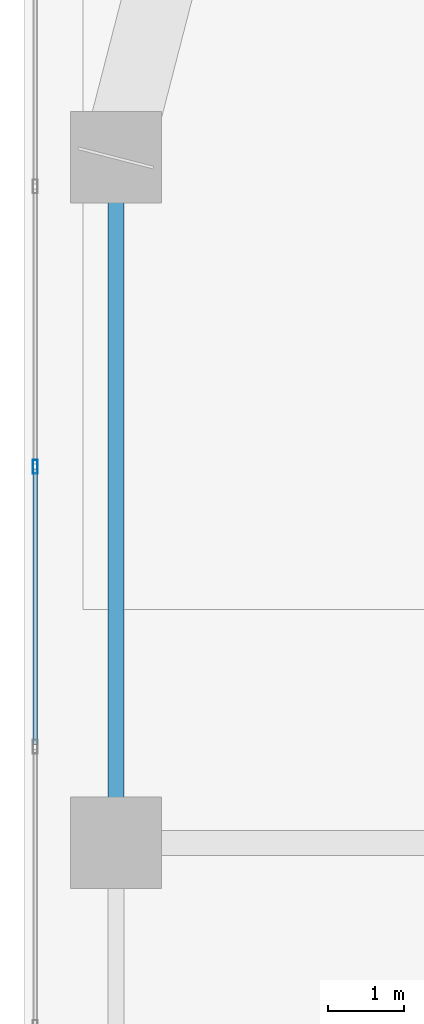
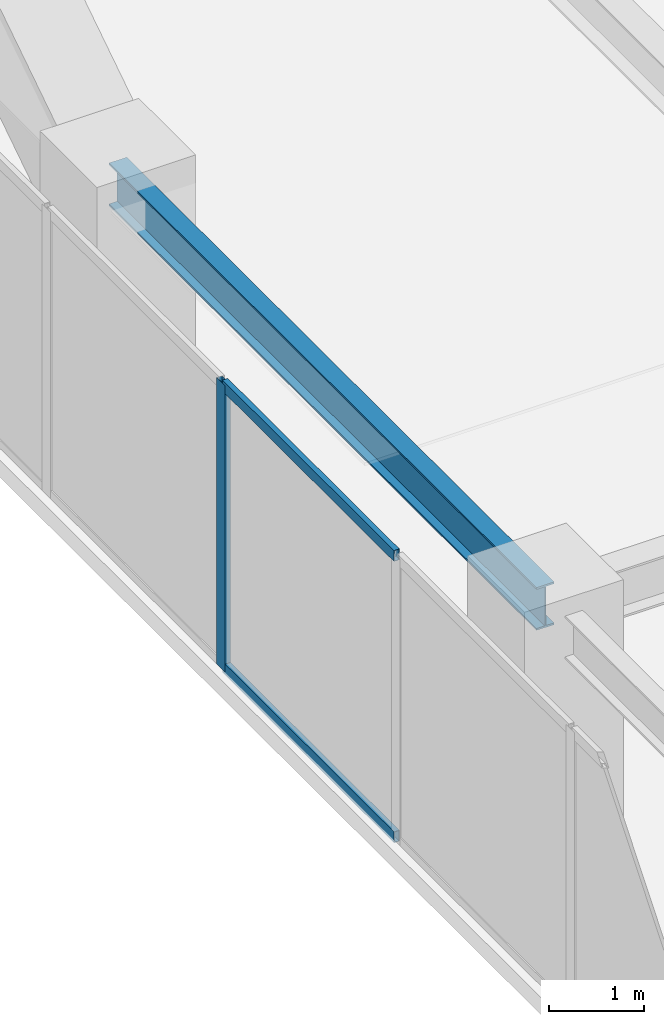
# One storey, part 7 of 30: 3 members, 1 beam, 1 element without a shape of its own.
"""IFC4 building model written with IfcOpenShell, lengths in metres."""

from ifc_helpers import new_model, si_unit, direction, frame, origin, origin_2d, place, context, subcontext, project, spatial, hollow_rectangle, i_section, extrude, material, layer, layer_set, material_profile, profile_set, type_object, element, aggregate, save


model = new_model("IFC4")

# Units and contexts
model_context = context("Model", 3, precision=1e-05, world=origin(), true_north=direction((0.0, 1.0)))
body_context = subcontext(model_context, "Body", "Model", "MODEL_VIEW")
ifc_project = project(units=[si_unit("LENGTHUNIT", "METRE"), si_unit("AREAUNIT", "SQUARE_METRE"), si_unit("VOLUMEUNIT", "CUBIC_METRE"), si_unit("PLANEANGLEUNIT", "RADIAN"), si_unit("MASSUNIT", "GRAM", prefix="KILO")], contexts=[model_context])

# Site, building, storey
site_placement = place(None, origin())
site = spatial("IfcSite", under=ifc_project, at=site_placement, CompositionType="ELEMENT")
building_placement = place(site_placement, origin())
building = spatial("IfcBuilding", under=site, at=building_placement, Name="Kiyonajd Concourse Tower", CompositionType="ELEMENT")
storey_placement = place(building_placement, frame((0.0, 0.0, 170.10009765625)))
storey = spatial("IfcBuildingStorey", under=building, at=storey_placement, Name="L43", CompositionType="ELEMENT", Elevation=170.10009765625)

# Beam
ifc_material_1 = material(Name="Steel ASTM A992 Grade 50", Category="steel")
ifc_material_profile_1 = material_profile(ifc_material_1, i_section(OverallWidth=0.214111328125, OverallDepth=0.549072265625, WebThickness=0.0146484375, FlangeThickness=0.023681640625, at=origin_2d()), Name="W530X138")
ifc_profile_set_1 = profile_set([ifc_material_profile_1], Name="Steel ASTM A992 Grade 50")
beam_type = type_object("IfcBeamType", Name="BM-SPAN-530A", PredefinedType="SPANDREL", material=ifc_profile_set_1)
beam_placement = place(storey_placement, frame((19.199951171875, 53.39990234375, 3.405517578125), z_axis=(0.0, -1.0, 0.0), x_axis=(1.0, 0.0, 0.0)))
element("IfcBeam", 1, at=beam_placement, inside=storey, type_object=beam_type, Name="L43 Perimeter Bundled Tube Spandrel", PredefinedType="SPANDREL", context=body_context, shape_type="SweptSolid", body=[
    extrude(i_section(OverallWidth=0.214111328125, OverallDepth=0.549072265625, WebThickness=0.0146484375, FlangeThickness=0.023681640625, at=origin_2d()), origin(), (0.0, 0.0, 1.0), 9.0),
])

# Curtain wall, members
ifc_material_2 = material(Name="Thermally Broken Anodised Aluminium", Category="aluminium")
ifc_layer = layer(ifc_material_2, 0.179931640625)
ifc_layer_set = layer_set([ifc_layer], Name="Thermally Broken Anodised Aluminium")
curtain_wall_type = type_object("IfcCurtainWallType", Name="CW-SYS-03", PredefinedType="NOTDEFINED", material=ifc_layer_set)
curtain_wall_placement = place(storey_placement, origin())
curtain_wall = element("IfcCurtainWall", 2, at=curtain_wall_placement, inside=storey, type_object=curtain_wall_type, Name="L43 Unitised Curtain Wall CW3", PredefinedType="NOTDEFINED")
ifc_material_profile_2 = material_profile(ifc_material_2, hollow_rectangle(XDim=0.06494140625, YDim=0.179931640625, WallThickness=0.00390625, at=origin_2d()), Name="MULL-65x180")
ifc_profile_set_2 = profile_set([ifc_material_profile_2], Name="Thermally Broken Anodised Aluminium")
member_type_1 = type_object("IfcMemberType", Name="MB-CW-MULL1", PredefinedType="MULLION", material=ifc_profile_set_2)
member_1_placement = place(storey_placement, frame((18.139892578125, 49.337646484375, 0.0), z_axis=(0.0, 0.0, 1.0), x_axis=(-1.0, 0.0, 0.0)))
member_1 = element("IfcMember", 3, at=member_1_placement, type_object=member_type_1, Name="CW3 mullion 5", PredefinedType="MULLION", context=body_context, shape_type="SweptSolid", body=[
    extrude(hollow_rectangle(XDim=0.06494140625, YDim=0.179931640625, WallThickness=0.00390625, at=origin_2d()), origin(), (0.0, 0.0, 1.0), 3.679931640625),
])
ifc_material_profile_3 = material_profile(ifc_material_2, hollow_rectangle(XDim=0.06494140625, YDim=0.139892578125, WallThickness=0.00390625, at=origin_2d()), Name="TRAN-65x140")
ifc_profile_set_3 = profile_set([ifc_material_profile_3], Name="Thermally Broken Anodised Aluminium")
member_type_2 = type_object("IfcMemberType", Name="MB-CW-TRAN1", PredefinedType="USERDEFINED", material=ifc_profile_set_3)
member_2_placement = place(storey_placement, frame((18.139892578125, 45.693359375, 0.032470703125), z_axis=(0.0, 1.0, 0.0), x_axis=(-1.0, 0.0, 0.0)))
member_2 = element("IfcMember", 4, at=member_2_placement, type_object=member_type_2, Name="CW3 transom 4.1", ObjectType="TRANSOM", PredefinedType="USERDEFINED", context=body_context, shape_type="SweptSolid", body=[
    extrude(hollow_rectangle(XDim=0.06494140625, YDim=0.139892578125, WallThickness=0.00390625, at=origin_2d()), origin(), (0.0, 0.0, 1.0), 3.61181640625),
])
member_3_placement = place(storey_placement, frame((18.139892578125, 45.693359375, 3.6474609375), z_axis=(0.0, 1.0, 0.0), x_axis=(-1.0, 0.0, 0.0)))
member_3 = element("IfcMember", 5, at=member_3_placement, type_object=member_type_2, Name="CW3 transom 4.2", ObjectType="TRANSOM", PredefinedType="USERDEFINED", context=body_context, shape_type="SweptSolid", body=[
    extrude(hollow_rectangle(XDim=0.06494140625, YDim=0.139892578125, WallThickness=0.00390625, at=origin_2d()), origin(), (0.0, 0.0, 1.0), 3.61181640625),
])
aggregate(curtain_wall, [member_1, member_2, member_3])

save(model, "model.ifc")
